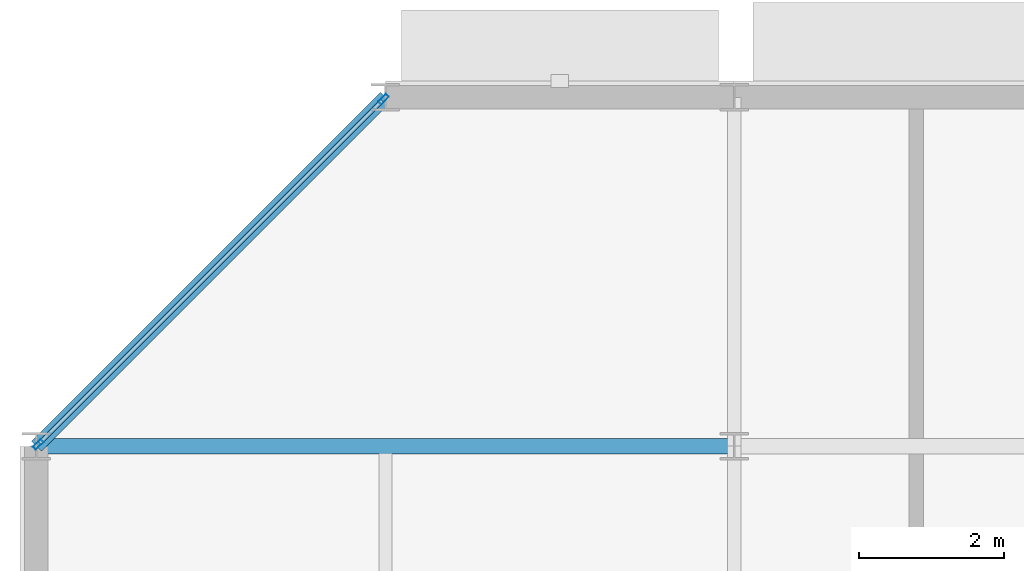
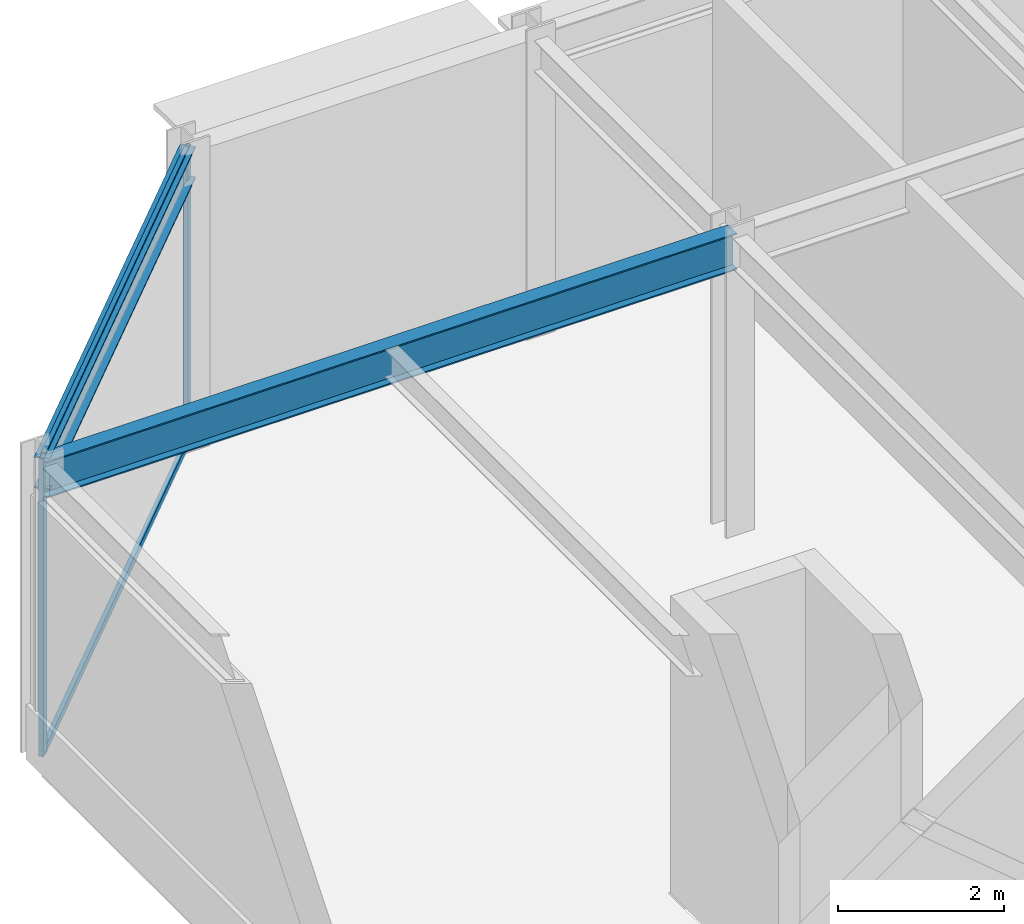
# One storey, part 70 of 157: 4 members, 2 beams, 1 element without a shape of its own.
"""IFC4 building model written with IfcOpenShell, lengths in metres."""

from ifc_helpers import new_model, si_unit, direction, frame, origin, origin_2d, place, context, subcontext, project, spatial, hollow_rectangle, i_section, extrude, material, material_profile, profile_set, type_object, element, aggregate, save


model = new_model("IFC4")

# Units and contexts
model_context = context("Model", 3, precision=1e-05, world=origin(), true_north=direction((0.0, 1.0)))
body_context = subcontext(model_context, "Body", "Model", "MODEL_VIEW")
ifc_project = project(units=[si_unit("LENGTHUNIT", "METRE"), si_unit("AREAUNIT", "SQUARE_METRE"), si_unit("VOLUMEUNIT", "CUBIC_METRE"), si_unit("PLANEANGLEUNIT", "RADIAN"), si_unit("MASSUNIT", "GRAM", prefix="KILO")], contexts=[model_context])

# Site, building, storey
site_placement = place(None, origin())
site = spatial("IfcSite", under=ifc_project, at=site_placement, CompositionType="ELEMENT")
building_placement = place(site_placement, origin())
building = spatial("IfcBuilding", under=site, at=building_placement, Name="Almandine Court Research Institute", CompositionType="ELEMENT")
storey_placement = place(building_placement, frame((0.0, 0.0, 5.25)))
storey = spatial("IfcBuildingStorey", under=building, at=storey_placement, Name="L01", CompositionType="ELEMENT", Elevation=5.25)

# Beams
ifc_material_1 = material(Name="Steel ASTM A992 Grade 50", Category="steel")
ifc_material_profile_1 = material_profile(ifc_material_1, i_section(OverallWidth=0.2109375, OverallDepth=0.5390625, WebThickness=0.011962890625, FlangeThickness=0.01904296875, at=origin_2d()), Name="W530x109")
ifc_profile_set_1 = profile_set([ifc_material_profile_1], Name="Steel ASTM A992 Grade 50")
beam_type_1 = type_object("IfcBeamType", Name="Beam-G-04", PredefinedType="BEAM", material=ifc_profile_set_1)
beam_1_placement = place(storey_placement, frame((6.0, 112.800048828125, 4.10009765625), z_axis=(1.0, 0.0, 0.0), x_axis=(0.0, 1.0, 0.0)))
element("IfcBeam", 1, at=beam_1_placement, inside=storey, type_object=beam_type_1, Name="L01 V3 Primary X Girder", PredefinedType="BEAM", context=body_context, shape_type="SweptSolid", body=[
    extrude(i_section(OverallWidth=0.2109375, OverallDepth=0.5390625, WebThickness=0.011962890625, FlangeThickness=0.01904296875, at=origin_2d()), origin(), (0.0, 0.0, 1.0), 9.60009765625),
])
ifc_material_profile_2 = material_profile(ifc_material_1, i_section(OverallWidth=0.193115234375, OverallDepth=0.466064453125, WebThickness=0.010986328125, FlangeThickness=0.01904296875, at=origin_2d()), Name="W460x97")
ifc_profile_set_2 = profile_set([ifc_material_profile_2], Name="Steel ASTM A992 Grade 50")
beam_type_2 = type_object("IfcBeamType", Name="Beam-G-06-E", PredefinedType="SPANDREL", material=ifc_profile_set_2)
beam_2_placement = place(storey_placement, frame((10.800048828125, 117.60009765625, 4.136962890625), z_axis=(-0.707106781187, -0.707106781187, 0.0), x_axis=(0.707106781187, -0.707106781187, 0.0)))
element("IfcBeam", 2, at=beam_2_placement, inside=storey, type_object=beam_type_2, Name="L01 V3 Octagonal Chamfer Spandrel", PredefinedType="SPANDREL", context=body_context, shape_type="SweptSolid", body=[
    extrude(i_section(OverallWidth=0.193115234375, OverallDepth=0.466064453125, WebThickness=0.010986328125, FlangeThickness=0.01904296875, at=origin_2d()), origin(), (0.0, 0.0, 1.0), 6.788330078125),
])

# Curtain wall, members
ifc_material_2 = material(Name="Unitised Curtain Wall Framing and Solar Glazing", Category="glass")
curtain_wall_type = type_object("IfcCurtainWallType", Name="CW-CWG-05", PredefinedType="USERDEFINED", material=ifc_material_2)
curtain_wall_placement = place(storey_placement, origin())
curtain_wall = element("IfcCurtainWall", 3, at=curtain_wall_placement, inside=storey, type_object=curtain_wall_type, Name="L01 Cleanroom NW Chamfer Glazing", ObjectType="UNITISED GLAZING", PredefinedType="USERDEFINED")
ifc_material_3 = material(Name="Anodised Aluminium AW-6063-T6", Category="aluminium")
ifc_material_profile_3 = material_profile(ifc_material_3, hollow_rectangle(XDim=0.06005859375, YDim=0.14990234375, WallThickness=0.00390625, at=origin_2d()), Name="ALU RHS 60x150x4")
ifc_profile_set_3 = profile_set([ifc_material_profile_3], Name="Anodised Aluminium AW-6063-T6")
member_type_1 = type_object("IfcMemberType", Name="CWMul-60x150", PredefinedType="MULLION", material=ifc_profile_set_3)
member_1_placement = place(storey_placement, frame((6.025146484375, 112.8251953125, 0.0), z_axis=(0.0, 0.0, 1.0), x_axis=(-0.707106781187, 0.707106781187, 0.0)))
member_1 = element("IfcMember", 4, at=member_1_placement, type_object=member_type_1, Name="CWG-05 mullion 1", PredefinedType="MULLION", context=body_context, shape_type="SweptSolid", body=[
    extrude(hollow_rectangle(XDim=0.06005859375, YDim=0.14990234375, WallThickness=0.00390625, at=origin_2d()), origin(), (0.0, 0.0, 1.0), 4.3701171875),
])
member_2_placement = place(storey_placement, frame((10.77490234375, 117.57470703125, 0.0), z_axis=(0.0, 0.0, 1.0), x_axis=(-0.707106781187, 0.707106781187, 0.0)))
member_2 = element("IfcMember", 5, at=member_2_placement, type_object=member_type_1, Name="CWG-05 mullion 2", PredefinedType="MULLION", context=body_context, shape_type="SweptSolid", body=[
    extrude(hollow_rectangle(XDim=0.06005859375, YDim=0.14990234375, WallThickness=0.00390625, at=origin_2d()), origin(), (0.0, 0.0, 1.0), 4.3701171875),
])
ifc_material_profile_4 = material_profile(ifc_material_3, hollow_rectangle(XDim=0.06005859375, YDim=0.110107421875, WallThickness=0.00390625, at=origin_2d()), Name="ALU RHS 60x110x4")
ifc_profile_set_4 = profile_set([ifc_material_profile_4], Name="Anodised Aluminium AW-6063-T6")
member_type_2 = type_object("IfcMemberType", Name="CWTrn-60x110", PredefinedType="NOTDEFINED", material=ifc_profile_set_4)
member_3_placement = place(storey_placement, frame((6.04638671875, 112.846435546875, 0.030029296875), z_axis=(0.707125118305, 0.707088443593, 0.0), x_axis=(-0.707088443593, 0.707125118305, 0.0)))
member_3 = element("IfcMember", 6, at=member_3_placement, type_object=member_type_2, Name="CWG-05 transom 1.1", ObjectType="TRANSOM", PredefinedType="USERDEFINED", context=body_context, shape_type="SweptSolid", body=[
    extrude(hollow_rectangle(XDim=0.06005859375, YDim=0.110107421875, WallThickness=0.00390625, at=origin_2d()), origin(), (0.0, 0.0, 1.0), 6.656982421875),
])
member_4_placement = place(storey_placement, frame((6.04638671875, 112.846435546875, 4.340087890625), z_axis=(0.707125118305, 0.707088443593, 0.0), x_axis=(-0.707088443593, 0.707125118305, 0.0)))
member_4 = element("IfcMember", 7, at=member_4_placement, type_object=member_type_2, Name="CWG-05 transom 1.2", ObjectType="TRANSOM", PredefinedType="USERDEFINED", context=body_context, shape_type="SweptSolid", body=[
    extrude(hollow_rectangle(XDim=0.06005859375, YDim=0.110107421875, WallThickness=0.00390625, at=origin_2d()), origin(), (0.0, 0.0, 1.0), 6.656982421875),
])
aggregate(curtain_wall, [member_1, member_2, member_3, member_4])

save(model, "model.ifc")
